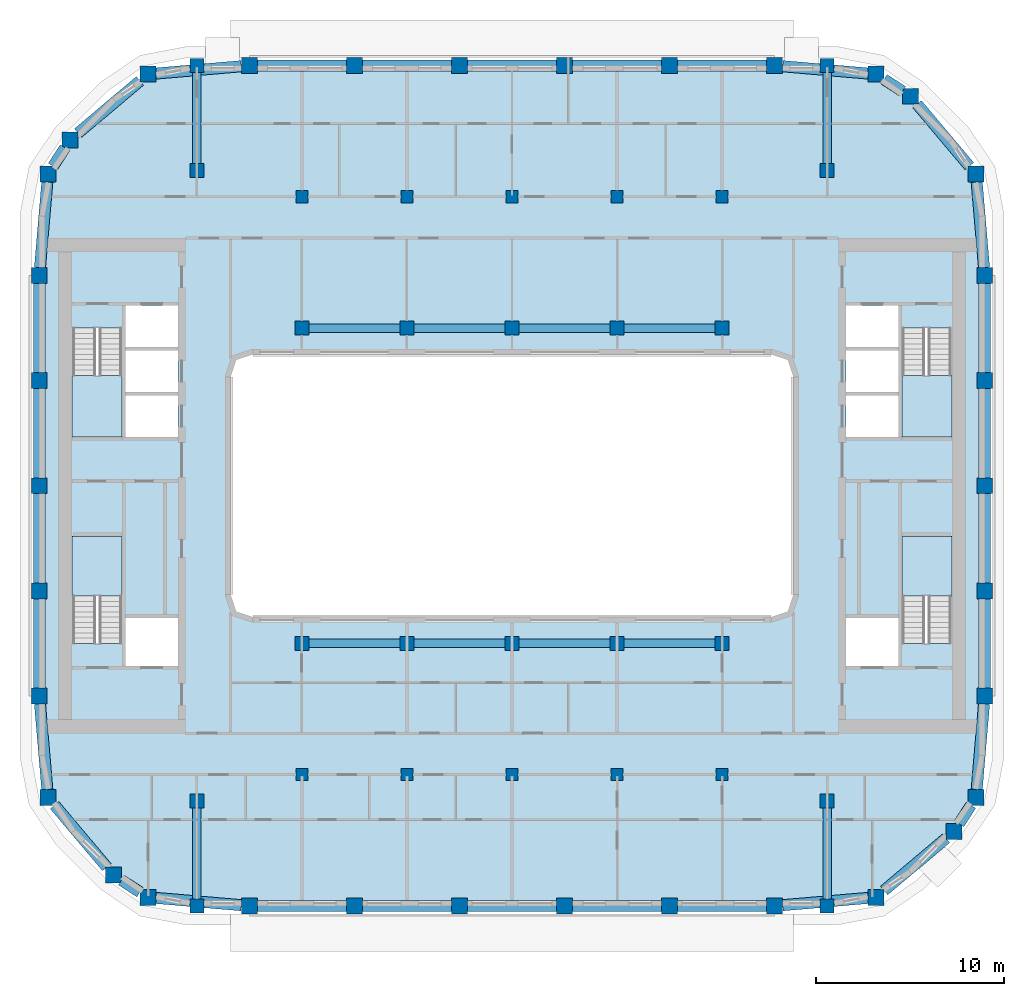
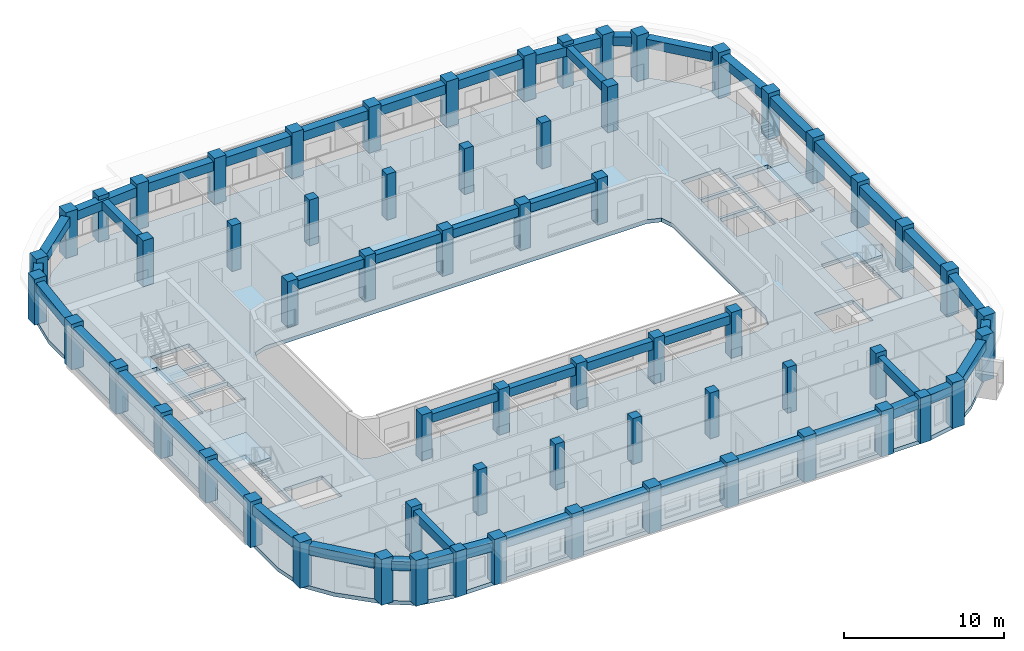
# One storey, part 1 of 21: 62 columns, 46 beams, 5 slabs, 4 elements without a shape of their own.
"""IFC4 building model written with IfcOpenShell, lengths in metres."""

from ifc_helpers import new_model, si_unit, direction, frame, origin, origin_2d, place, context, subcontext, project, spatial, polyline, rectangle, outline, extrude, material, layer, layer_set, material_profile, profile_set, type_object, element, aggregate, save


model = new_model("IFC4")

# Units and contexts
model_context = context("Model", 3, precision=1e-05, world=origin(), true_north=direction((0.0, 1.0)))
body_context = subcontext(model_context, "Body", "Model", "MODEL_VIEW")
ifc_project = project(units=[si_unit("LENGTHUNIT", "METRE"), si_unit("AREAUNIT", "SQUARE_METRE"), si_unit("VOLUMEUNIT", "CUBIC_METRE"), si_unit("PLANEANGLEUNIT", "RADIAN"), si_unit("MASSUNIT", "GRAM", prefix="KILO")], contexts=[model_context])

# Site, building, storey
site_placement = place(None, origin())
site = spatial("IfcSite", under=ifc_project, at=site_placement, CompositionType="ELEMENT")
building_placement = place(site_placement, origin())
building = spatial("IfcBuilding", under=site, at=building_placement, Name="Kiln Ring Residences", CompositionType="ELEMENT")
storey_placement = place(building_placement, frame((0.0, 0.0, 223.89990234375)))
storey = spatial("IfcBuildingStorey", under=building, at=storey_placement, Name="L58", CompositionType="ELEMENT", Elevation=223.89990234375)

# Columns
ifc_material_1 = material(Name="Concrete C70/85", Category="concrete")
ifc_material_profile_1 = material_profile(ifc_material_1, rectangle(XDim=0.64990234375, YDim=0.64990234375, at=origin_2d()), Name="RC650x650")
ifc_profile_set_1 = profile_set([ifc_material_profile_1], Name="Concrete C70/85")
column_type_1 = type_object("IfcColumnType", Name="Corridor column RC650x650 C70/85", PredefinedType="COLUMN", material=ifc_profile_set_1)
for number, where, z_axis, x_axis, name in (
    (1, (-11.199951171875, 15.39990234375, 0.0), (0.0, 0.0, 1.0), (1.0, 0.0, 0.0), "Corridor column L58 1"),
    (2, (-5.60009765625, 15.39990234375, 0.0), (0.0, 0.0, 1.0), (1.0, 0.0, 0.0), "Corridor column L58 2"),
    (3, (0.0, 15.39990234375, 0.0), (0.0, 0.0, 1.0), (1.0, 0.0, 0.0), "Corridor column L58 3"),
    (4, (5.60009765625, 15.39990234375, 0.0), (0.0, 0.0, 1.0), (1.0, 0.0, 0.0), "Corridor column L58 4"),
    (5, (11.199951171875, 15.39990234375, 0.0), (0.0, 0.0, 1.0), (1.0, 0.0, 0.0), "Corridor column L58 5"),
    (6, (-11.199951171875, -15.39990234375, 0.0), (0.0, 0.0, 1.0), (1.0, 0.0, 0.0), "Corridor column L58 6"),
    (7, (-5.60009765625, -15.39990234375, 0.0), (0.0, 0.0, 1.0), (1.0, 0.0, 0.0), "Corridor column L58 7"),
    (8, (0.0, -15.39990234375, 0.0), (0.0, 0.0, 1.0), (1.0, 0.0, 0.0), "Corridor column L58 8"),
    (9, (5.60009765625, -15.39990234375, 0.0), (0.0, 0.0, 1.0), (1.0, 0.0, 0.0), "Corridor column L58 9"),
    (10, (11.199951171875, -15.39990234375, 0.0), (0.0, 0.0, 1.0), (1.0, 0.0, 0.0), "Corridor column L58 10"),
):
    element("IfcColumn", number, at=place(storey_placement, frame(where, z_axis=z_axis, x_axis=x_axis)), inside=storey, type_object=column_type_1, Name=name, PredefinedType="COLUMN", context=body_context, shape_type="SweptSolid", body=[
        extrude(rectangle(XDim=0.64990234375, YDim=0.64990234375, at=origin_2d()), origin(), (0.0, 0.0, 1.0), 3.5),
    ])
ifc_material_2 = material(Name="Concrete C70/85", Category="concrete")
ifc_material_profile_2 = material_profile(ifc_material_2, rectangle(XDim=0.85009765625, YDim=0.85009765625, at=origin_2d()), Name="RC850x850")
ifc_profile_set_2 = profile_set([ifc_material_profile_2], Name="Concrete C70/85")
column_type_2 = type_object("IfcColumnType", Name="Perimeter column RC850x850 C70/85", PredefinedType="COLUMN", material=ifc_profile_set_2)
for number, where, z_axis, x_axis, name in (
    (11, (-19.40869140625, -21.93798828125, 0.0), (0.0, 0.0, 1.0), (1.0, 0.0, 0.0), "Perimeter column L58 1"),
    (12, (-14.0, -22.39990234375, 0.0), (0.0, 0.0, 1.0), (1.0, 0.0, 0.0), "Perimeter column L58 2"),
    (13, (-8.39990234375, -22.39990234375, 0.0), (0.0, 0.0, 1.0), (1.0, 0.0, 0.0), "Perimeter column L58 3"),
    (14, (-2.800048828125, -22.39990234375, 0.0), (0.0, 0.0, 1.0), (1.0, 0.0, 0.0), "Perimeter column L58 4"),
    (15, (2.800048828125, -22.39990234375, 0.0), (0.0, 0.0, 1.0), (1.0, 0.0, 0.0), "Perimeter column L58 5"),
    (16, (8.39990234375, -22.39990234375, 0.0), (0.0, 0.0, 1.0), (1.0, 0.0, 0.0), "Perimeter column L58 6"),
    (17, (14.0, -22.39990234375, 0.0), (0.0, 0.0, 1.0), (1.0, 0.0, 0.0), "Perimeter column L58 7"),
    (18, (19.40869140625, -21.93798828125, 0.0), (0.0, 0.0, 1.0), (1.0, 0.0, 0.0), "Perimeter column L58 8"),
    (19, (23.559814453125, -18.440185546875, 0.0), (0.0, 0.0, 1.0), (1.0, 0.0, 0.0), "Perimeter column L58 9"),
    (20, (24.738037109375, -16.608642578125, 0.0), (0.0, 0.0, 1.0), (1.0, 0.0, 0.0), "Perimeter column L58 10"),
    (21, (25.199951171875, -11.199951171875, 0.0), (0.0, 0.0, 1.0), (1.0, 0.0, 0.0), "Perimeter column L58 11"),
    (22, (25.199951171875, -5.60009765625, 0.0), (0.0, 0.0, 1.0), (1.0, 0.0, 0.0), "Perimeter column L58 12"),
    (23, (25.199951171875, 0.0, 0.0), (0.0, 0.0, 1.0), (1.0, 0.0, 0.0), "Perimeter column L58 13"),
    (24, (25.199951171875, 5.60009765625, 0.0), (0.0, 0.0, 1.0), (1.0, 0.0, 0.0), "Perimeter column L58 14"),
    (25, (25.199951171875, 11.199951171875, 0.0), (0.0, 0.0, 1.0), (1.0, 0.0, 0.0), "Perimeter column L58 15"),
    (26, (24.738037109375, 16.608642578125, 0.0), (0.0, 0.0, 1.0), (1.0, 0.0, 0.0), "Perimeter column L58 16"),
    (27, (21.240234375, 20.759765625, 0.0), (0.0, 0.0, 1.0), (1.0, 0.0, 0.0), "Perimeter column L58 17"),
    (28, (19.40869140625, 21.93798828125, 0.0), (0.0, 0.0, 1.0), (1.0, 0.0, 0.0), "Perimeter column L58 18"),
    (29, (14.0, 22.39990234375, 0.0), (0.0, 0.0, 1.0), (1.0, 0.0, 0.0), "Perimeter column L58 19"),
    (30, (8.39990234375, 22.39990234375, 0.0), (0.0, 0.0, 1.0), (1.0, 0.0, 0.0), "Perimeter column L58 20"),
    (31, (2.800048828125, 22.39990234375, 0.0), (0.0, 0.0, 1.0), (1.0, 0.0, 0.0), "Perimeter column L58 21"),
    (32, (-2.800048828125, 22.39990234375, 0.0), (0.0, 0.0, 1.0), (1.0, 0.0, 0.0), "Perimeter column L58 22"),
    (33, (-8.39990234375, 22.39990234375, 0.0), (0.0, 0.0, 1.0), (1.0, 0.0, 0.0), "Perimeter column L58 23"),
    (34, (-14.0, 22.39990234375, 0.0), (0.0, 0.0, 1.0), (1.0, 0.0, 0.0), "Perimeter column L58 24"),
    (35, (-19.40869140625, 21.93798828125, 0.0), (0.0, 0.0, 1.0), (1.0, 0.0, 0.0), "Perimeter column L58 25"),
    (36, (-23.559814453125, 18.440185546875, 0.0), (0.0, 0.0, 1.0), (1.0, 0.0, 0.0), "Perimeter column L58 26"),
    (37, (-24.738037109375, 16.608642578125, 0.0), (0.0, 0.0, 1.0), (1.0, 0.0, 0.0), "Perimeter column L58 27"),
    (38, (-25.199951171875, 11.199951171875, 0.0), (0.0, 0.0, 1.0), (1.0, 0.0, 0.0), "Perimeter column L58 28"),
    (39, (-25.199951171875, 5.60009765625, 0.0), (0.0, 0.0, 1.0), (1.0, 0.0, 0.0), "Perimeter column L58 29"),
    (40, (-25.199951171875, 0.0, 0.0), (0.0, 0.0, 1.0), (1.0, 0.0, 0.0), "Perimeter column L58 30"),
    (41, (-25.199951171875, -5.60009765625, 0.0), (0.0, 0.0, 1.0), (1.0, 0.0, 0.0), "Perimeter column L58 31"),
    (42, (-25.199951171875, -11.199951171875, 0.0), (0.0, 0.0, 1.0), (1.0, 0.0, 0.0), "Perimeter column L58 32"),
    (43, (-24.738037109375, -16.608642578125, 0.0), (0.0, 0.0, 1.0), (1.0, 0.0, 0.0), "Perimeter column L58 33"),
    (44, (-21.240234375, -20.759765625, 0.0), (0.0, 0.0, 1.0), (1.0, 0.0, 0.0), "Perimeter column L58 34"),
):
    element("IfcColumn", number, at=place(storey_placement, frame(where, z_axis=z_axis, x_axis=x_axis)), inside=storey, type_object=column_type_2, Name=name, PredefinedType="COLUMN", context=body_context, shape_type="SweptSolid", body=[
        extrude(rectangle(XDim=0.85009765625, YDim=0.85009765625, at=origin_2d()), origin(), (0.0, 0.0, 1.0), 3.5),
    ])
ifc_material_3 = material(Name="Concrete C70/85", Category="concrete")
ifc_material_profile_3 = material_profile(ifc_material_3, rectangle(XDim=0.75, YDim=0.75, at=origin_2d()), Name="RC750x750")
ifc_profile_set_3 = profile_set([ifc_material_profile_3], Name="Concrete C70/85")
column_type_3 = type_object("IfcColumnType", Name="Ring column RC750x750 C70/85", PredefinedType="COLUMN", material=ifc_profile_set_3)
for number, where, z_axis, x_axis, name in (
    (45, (-16.800048828125, -22.39990234375, 0.0), (0.0, 0.0, 1.0), (1.0, 0.0, 0.0), "Ring column L58 1"),
    (46, (-16.800048828125, -16.800048828125, 0.0), (0.0, 0.0, 1.0), (1.0, 0.0, 0.0), "Ring column L58 2"),
    (47, (-16.800048828125, 16.800048828125, 0.0), (0.0, 0.0, 1.0), (1.0, 0.0, 0.0), "Ring column L58 3"),
    (48, (-16.800048828125, 22.39990234375, 0.0), (0.0, 0.0, 1.0), (1.0, 0.0, 0.0), "Ring column L58 4"),
    (49, (-11.199951171875, -8.39990234375, 0.0), (0.0, 0.0, 1.0), (1.0, 0.0, 0.0), "Ring column L58 5"),
    (50, (-11.199951171875, 8.39990234375, 0.0), (0.0, 0.0, 1.0), (1.0, 0.0, 0.0), "Ring column L58 6"),
    (51, (-5.60009765625, -8.39990234375, 0.0), (0.0, 0.0, 1.0), (1.0, 0.0, 0.0), "Ring column L58 7"),
    (52, (-5.60009765625, 8.39990234375, 0.0), (0.0, 0.0, 1.0), (1.0, 0.0, 0.0), "Ring column L58 8"),
    (53, (0.0, -8.39990234375, 0.0), (0.0, 0.0, 1.0), (1.0, 0.0, 0.0), "Ring column L58 9"),
    (54, (0.0, 8.39990234375, 0.0), (0.0, 0.0, 1.0), (1.0, 0.0, 0.0), "Ring column L58 10"),
    (55, (5.60009765625, -8.39990234375, 0.0), (0.0, 0.0, 1.0), (1.0, 0.0, 0.0), "Ring column L58 11"),
    (56, (5.60009765625, 8.39990234375, 0.0), (0.0, 0.0, 1.0), (1.0, 0.0, 0.0), "Ring column L58 12"),
    (57, (11.199951171875, -8.39990234375, 0.0), (0.0, 0.0, 1.0), (1.0, 0.0, 0.0), "Ring column L58 13"),
    (58, (11.199951171875, 8.39990234375, 0.0), (0.0, 0.0, 1.0), (1.0, 0.0, 0.0), "Ring column L58 14"),
    (59, (16.800048828125, -22.39990234375, 0.0), (0.0, 0.0, 1.0), (1.0, 0.0, 0.0), "Ring column L58 15"),
    (60, (16.800048828125, -16.800048828125, 0.0), (0.0, 0.0, 1.0), (1.0, 0.0, 0.0), "Ring column L58 16"),
    (61, (16.800048828125, 16.800048828125, 0.0), (0.0, 0.0, 1.0), (1.0, 0.0, 0.0), "Ring column L58 17"),
    (62, (16.800048828125, 22.39990234375, 0.0), (0.0, 0.0, 1.0), (1.0, 0.0, 0.0), "Ring column L58 18"),
):
    element("IfcColumn", number, at=place(storey_placement, frame(where, z_axis=z_axis, x_axis=x_axis)), inside=storey, type_object=column_type_3, Name=name, PredefinedType="COLUMN", context=body_context, shape_type="SweptSolid", body=[
        extrude(rectangle(XDim=0.75, YDim=0.75, at=origin_2d()), origin(), (0.0, 0.0, 1.0), 3.5),
    ])

# Beams
ifc_material_4 = material(Name="Concrete C50/60", Category="concrete")
ifc_material_profile_4 = material_profile(ifc_material_4, rectangle(XDim=0.449951171875, YDim=0.64990234375, at=origin_2d()), Name="RC450x650")
ifc_profile_set_4 = profile_set([ifc_material_profile_4], Name="Concrete C50/60")
beam_type_1 = type_object("IfcBeamType", Name="Ring beam RC450x650 C50/60", PredefinedType="BEAM", material=ifc_profile_set_4)
beam_1_placement = place(storey_placement, frame((-10.824951171875, -8.39990234375, 2.875), z_axis=(1.0, 0.0, 0.0), x_axis=(0.0, 1.0, 0.0)))
element("IfcBeam", 63, at=beam_1_placement, inside=storey, type_object=beam_type_1, Name="Ring beam L58 1", PredefinedType="BEAM", context=body_context, shape_type="SweptSolid", body=[
    extrude(rectangle(XDim=0.449951171875, YDim=0.64990234375, at=origin_2d()), origin(), (0.0, 0.0, 1.0), 4.849853515625),
])
for number, where, z_axis, x_axis, name in (
    (64, (-5.22509765625, -8.39990234375, 2.875), (1.0, 0.0, 0.0), (0.0, 1.0, 0.0), "Ring beam L58 2"),
    (65, (0.375, -8.39990234375, 2.875), (1.0, 0.0, 0.0), (0.0, 1.0, 0.0), "Ring beam L58 3"),
):
    element("IfcBeam", number, at=place(storey_placement, frame(where, z_axis=z_axis, x_axis=x_axis)), inside=storey, type_object=beam_type_1, Name=name, PredefinedType="BEAM", context=body_context, shape_type="SweptSolid", body=[
        extrude(rectangle(XDim=0.449951171875, YDim=0.64990234375, at=origin_2d()), origin(), (0.0, 0.0, 1.0), 4.85009765625),
    ])
for number, where, z_axis, x_axis, name in (
    (66, (5.97509765625, -8.39990234375, 2.875), (1.0, 0.0, 0.0), (0.0, 1.0, 0.0), "Ring beam L58 4"),
    (67, (-10.824951171875, 8.39990234375, 2.875), (1.0, 0.0, 0.0), (0.0, 1.0, 0.0), "Ring beam L58 5"),
):
    element("IfcBeam", number, at=place(storey_placement, frame(where, z_axis=z_axis, x_axis=x_axis)), inside=storey, type_object=beam_type_1, Name=name, PredefinedType="BEAM", context=body_context, shape_type="SweptSolid", body=[
        extrude(rectangle(XDim=0.449951171875, YDim=0.64990234375, at=origin_2d()), origin(), (0.0, 0.0, 1.0), 4.849853515625),
    ])
for number, where, z_axis, x_axis, name in (
    (68, (-5.22509765625, 8.39990234375, 2.875), (1.0, 0.0, 0.0), (0.0, 1.0, 0.0), "Ring beam L58 6"),
    (69, (0.375, 8.39990234375, 2.875), (1.0, 0.0, 0.0), (0.0, 1.0, 0.0), "Ring beam L58 7"),
):
    element("IfcBeam", number, at=place(storey_placement, frame(where, z_axis=z_axis, x_axis=x_axis)), inside=storey, type_object=beam_type_1, Name=name, PredefinedType="BEAM", context=body_context, shape_type="SweptSolid", body=[
        extrude(rectangle(XDim=0.449951171875, YDim=0.64990234375, at=origin_2d()), origin(), (0.0, 0.0, 1.0), 4.85009765625),
    ])
for number, where, z_axis, x_axis, name in (
    (70, (5.97509765625, 8.39990234375, 2.875), (1.0, 0.0, 0.0), (0.0, 1.0, 0.0), "Ring beam L58 8"),
    (71, (-16.800048828125, -17.175048828125, 2.875), (0.0, -1.0, 0.0), (1.0, 0.0, 0.0), "Ring beam L58 9"),
    (72, (-16.800048828125, 17.175048828125, 2.875), (0.0, 1.0, 0.0), (-1.0, 0.0, 0.0), "Ring beam L58 10"),
    (73, (16.800048828125, -17.175048828125, 2.875), (0.0, -1.0, 0.0), (1.0, 0.0, 0.0), "Ring beam L58 11"),
    (74, (16.800048828125, 17.175048828125, 2.875), (0.0, 1.0, 0.0), (-1.0, 0.0, 0.0), "Ring beam L58 12"),
):
    element("IfcBeam", number, at=place(storey_placement, frame(where, z_axis=z_axis, x_axis=x_axis)), inside=storey, type_object=beam_type_1, Name=name, PredefinedType="BEAM", context=body_context, shape_type="SweptSolid", body=[
        extrude(rectangle(XDim=0.449951171875, YDim=0.64990234375, at=origin_2d()), origin(), (0.0, 0.0, 1.0), 4.849853515625),
    ])
ifc_material_5 = material(Name="Concrete C50/60", Category="concrete")
ifc_material_profile_5 = material_profile(ifc_material_5, rectangle(XDim=0.60009765625, YDim=0.699951171875, at=origin_2d()), Name="RC600x700")
ifc_profile_set_5 = profile_set([ifc_material_profile_5], Name="Concrete C50/60")
beam_type_2 = type_object("IfcBeamType", Name="Spandrel beam RC600x700 C50/60", PredefinedType="SPANDREL", material=ifc_profile_set_5)
beam_2_placement = place(storey_placement, frame((-18.983642578125, -21.974365234375, 2.85009765625), z_axis=(0.996371385312, -0.085112058675, 0.0), x_axis=(0.085112058675, 0.996371385312, 0.0)))
element("IfcBeam", 75, at=beam_2_placement, inside=storey, type_object=beam_type_2, Name="Spandrel beam L58 1", PredefinedType="SPANDREL", context=body_context, shape_type="SweptSolid", body=[
    extrude(rectangle(XDim=0.60009765625, YDim=0.699951171875, at=origin_2d()), origin(), (0.0, 0.0, 1.0), 4.5751953125),
])
for number, where, z_axis, x_axis, name in (
    (76, (-13.574951171875, -22.39990234375, 2.85009765625), (1.0, 0.0, 0.0), (0.0, 1.0, 0.0), "Spandrel beam L58 2"),
    (77, (-7.97509765625, -22.39990234375, 2.85009765625), (1.0, 0.0, 0.0), (0.0, 1.0, 0.0), "Spandrel beam L58 3"),
    (78, (-2.375, -22.39990234375, 2.85009765625), (1.0, 0.0, 0.0), (0.0, 1.0, 0.0), "Spandrel beam L58 4"),
    (79, (3.22509765625, -22.39990234375, 2.85009765625), (1.0, 0.0, 0.0), (0.0, 1.0, 0.0), "Spandrel beam L58 5"),
    (80, (8.824951171875, -22.39990234375, 2.85009765625), (1.0, 0.0, 0.0), (0.0, 1.0, 0.0), "Spandrel beam L58 6"),
):
    element("IfcBeam", number, at=place(storey_placement, frame(where, z_axis=z_axis, x_axis=x_axis)), inside=storey, type_object=beam_type_2, Name=name, PredefinedType="SPANDREL", context=body_context, shape_type="SweptSolid", body=[
        extrude(rectangle(XDim=0.60009765625, YDim=0.699951171875, at=origin_2d()), origin(), (0.0, 0.0, 1.0), 4.75),
    ])
beam_3_placement = place(storey_placement, frame((14.425048828125, -22.36376953125, 2.85009765625), z_axis=(0.996371385312, 0.085112058675, 0.0), x_axis=(-0.085112058675, 0.996371385312, 0.0)))
element("IfcBeam", 81, at=beam_3_placement, inside=storey, type_object=beam_type_2, Name="Spandrel beam L58 7", PredefinedType="SPANDREL", context=body_context, shape_type="SweptSolid", body=[
    extrude(rectangle(XDim=0.60009765625, YDim=0.699951171875, at=origin_2d()), origin(), (0.0, 0.0, 1.0), 4.5751953125),
])
beam_4_placement = place(storey_placement, frame((19.833740234375, -21.580078125, 2.85009765625), z_axis=(0.764691163306, 0.64439694658, 0.0), x_axis=(-0.64439694658, 0.764691163306, 0.0)))
element("IfcBeam", 82, at=beam_4_placement, inside=storey, type_object=beam_type_2, Name="Spandrel beam L58 8", PredefinedType="SPANDREL", context=body_context, shape_type="SweptSolid", body=[
    extrude(rectangle(XDim=0.60009765625, YDim=0.699951171875, at=origin_2d()), origin(), (0.0, 0.0, 1.0), 4.31689453125),
])
beam_5_placement = place(storey_placement, frame((23.833251953125, -18.01513671875, 2.85009765625), z_axis=(0.541011334995, 0.84101530034, 0.0), x_axis=(-0.84101530034, 0.541011334995, 0.0)))
element("IfcBeam", 83, at=beam_5_placement, inside=storey, type_object=beam_type_2, Name="Spandrel beam L58 9", PredefinedType="SPANDREL", context=body_context, shape_type="SweptSolid", body=[
    extrude(rectangle(XDim=0.60009765625, YDim=0.699951171875, at=origin_2d()), origin(), (0.0, 0.0, 1.0), 1.1669921875),
])
beam_6_placement = place(storey_placement, frame((24.7744140625, -16.18359375, 2.85009765625), z_axis=(0.085112058675, 0.996371385312, 0.0), x_axis=(-0.996371385312, 0.085112058675, 0.0)))
element("IfcBeam", 84, at=beam_6_placement, inside=storey, type_object=beam_type_2, Name="Spandrel beam L58 10", PredefinedType="SPANDREL", context=body_context, shape_type="SweptSolid", body=[
    extrude(rectangle(XDim=0.60009765625, YDim=0.699951171875, at=origin_2d()), origin(), (0.0, 0.0, 1.0), 4.5751953125),
])
for number, where, z_axis, x_axis, name in (
    (85, (25.199951171875, -10.77490234375, 2.85009765625), (0.0, 1.0, 0.0), (-1.0, 0.0, 0.0), "Spandrel beam L58 11"),
    (86, (25.199951171875, -5.175048828125, 2.85009765625), (0.0, 1.0, 0.0), (-1.0, 0.0, 0.0), "Spandrel beam L58 12"),
    (87, (25.199951171875, 0.425048828125, 2.85009765625), (0.0, 1.0, 0.0), (-1.0, 0.0, 0.0), "Spandrel beam L58 13"),
    (88, (25.199951171875, 6.02490234375, 2.85009765625), (0.0, 1.0, 0.0), (-1.0, 0.0, 0.0), "Spandrel beam L58 14"),
):
    element("IfcBeam", number, at=place(storey_placement, frame(where, z_axis=z_axis, x_axis=x_axis)), inside=storey, type_object=beam_type_2, Name=name, PredefinedType="SPANDREL", context=body_context, shape_type="SweptSolid", body=[
        extrude(rectangle(XDim=0.60009765625, YDim=0.699951171875, at=origin_2d()), origin(), (0.0, 0.0, 1.0), 4.75),
    ])
beam_7_placement = place(storey_placement, frame((25.163818359375, 11.625, 2.85009765625), z_axis=(-0.085112058675, 0.996371385312, 0.0), x_axis=(-0.996371385312, -0.085112058675, 0.0)))
element("IfcBeam", 89, at=beam_7_placement, inside=storey, type_object=beam_type_2, Name="Spandrel beam L58 15", PredefinedType="SPANDREL", context=body_context, shape_type="SweptSolid", body=[
    extrude(rectangle(XDim=0.60009765625, YDim=0.699951171875, at=origin_2d()), origin(), (0.0, 0.0, 1.0), 4.5751953125),
])
beam_8_placement = place(storey_placement, frame((24.3798828125, 17.03369140625, 2.85009765625), z_axis=(-0.644363873614, 0.764719032313, 0.0), x_axis=(-0.764719032313, -0.644363873614, 0.0)))
element("IfcBeam", 90, at=beam_8_placement, inside=storey, type_object=beam_type_2, Name="Spandrel beam L58 16", PredefinedType="SPANDREL", context=body_context, shape_type="SweptSolid", body=[
    extrude(rectangle(XDim=0.60009765625, YDim=0.699951171875, at=origin_2d()), origin(), (0.0, 0.0, 1.0), 4.316650390625),
])
beam_9_placement = place(storey_placement, frame((20.815185546875, 21.033203125, 2.85009765625), z_axis=(-0.840920108806, 0.54115928395, 0.0), x_axis=(-0.54115928395, -0.840920108806, 0.0)))
element("IfcBeam", 91, at=beam_9_placement, inside=storey, type_object=beam_type_2, Name="Spandrel beam L58 17", PredefinedType="SPANDREL", context=body_context, shape_type="SweptSolid", body=[
    extrude(rectangle(XDim=0.60009765625, YDim=0.699951171875, at=origin_2d()), origin(), (0.0, 0.0, 1.0), 1.1669921875),
])
beam_10_placement = place(storey_placement, frame((18.983642578125, 21.974365234375, 2.85009765625), z_axis=(-0.996371385312, 0.085112058675, 0.0), x_axis=(-0.085112058675, -0.996371385312, 0.0)))
element("IfcBeam", 92, at=beam_10_placement, inside=storey, type_object=beam_type_2, Name="Spandrel beam L58 18", PredefinedType="SPANDREL", context=body_context, shape_type="SweptSolid", body=[
    extrude(rectangle(XDim=0.60009765625, YDim=0.699951171875, at=origin_2d()), origin(), (0.0, 0.0, 1.0), 4.5751953125),
])
for number, where, z_axis, x_axis, name in (
    (93, (13.574951171875, 22.39990234375, 2.85009765625), (-1.0, 0.0, 0.0), (0.0, -1.0, 0.0), "Spandrel beam L58 19"),
    (94, (7.97509765625, 22.39990234375, 2.85009765625), (-1.0, 0.0, 0.0), (0.0, -1.0, 0.0), "Spandrel beam L58 20"),
    (95, (2.375, 22.39990234375, 2.85009765625), (-1.0, 0.0, 0.0), (0.0, -1.0, 0.0), "Spandrel beam L58 21"),
    (96, (-3.22509765625, 22.39990234375, 2.85009765625), (-1.0, 0.0, 0.0), (0.0, -1.0, 0.0), "Spandrel beam L58 22"),
    (97, (-8.824951171875, 22.39990234375, 2.85009765625), (-1.0, 0.0, 0.0), (0.0, -1.0, 0.0), "Spandrel beam L58 23"),
):
    element("IfcBeam", number, at=place(storey_placement, frame(where, z_axis=z_axis, x_axis=x_axis)), inside=storey, type_object=beam_type_2, Name=name, PredefinedType="SPANDREL", context=body_context, shape_type="SweptSolid", body=[
        extrude(rectangle(XDim=0.60009765625, YDim=0.699951171875, at=origin_2d()), origin(), (0.0, 0.0, 1.0), 4.75),
    ])
beam_11_placement = place(storey_placement, frame((-14.425048828125, 22.36376953125, 2.85009765625), z_axis=(-0.996371385312, -0.085112058675, 0.0), x_axis=(0.085112058675, -0.996371385312, 0.0)))
element("IfcBeam", 98, at=beam_11_placement, inside=storey, type_object=beam_type_2, Name="Spandrel beam L58 24", PredefinedType="SPANDREL", context=body_context, shape_type="SweptSolid", body=[
    extrude(rectangle(XDim=0.60009765625, YDim=0.699951171875, at=origin_2d()), origin(), (0.0, 0.0, 1.0), 4.5751953125),
])
beam_12_placement = place(storey_placement, frame((-19.833740234375, 21.580078125, 2.85009765625), z_axis=(-0.764691163306, -0.64439694658, 0.0), x_axis=(0.64439694658, -0.764691163306, 0.0)))
element("IfcBeam", 99, at=beam_12_placement, inside=storey, type_object=beam_type_2, Name="Spandrel beam L58 25", PredefinedType="SPANDREL", context=body_context, shape_type="SweptSolid", body=[
    extrude(rectangle(XDim=0.60009765625, YDim=0.699951171875, at=origin_2d()), origin(), (0.0, 0.0, 1.0), 4.31689453125),
])
beam_13_placement = place(storey_placement, frame((-23.833251953125, 18.01513671875, 2.85009765625), z_axis=(-0.541011334995, -0.84101530034, 0.0), x_axis=(0.84101530034, -0.541011334995, 0.0)))
element("IfcBeam", 100, at=beam_13_placement, inside=storey, type_object=beam_type_2, Name="Spandrel beam L58 26", PredefinedType="SPANDREL", context=body_context, shape_type="SweptSolid", body=[
    extrude(rectangle(XDim=0.60009765625, YDim=0.699951171875, at=origin_2d()), origin(), (0.0, 0.0, 1.0), 1.1669921875),
])
beam_14_placement = place(storey_placement, frame((-24.7744140625, 16.18359375, 2.85009765625), z_axis=(-0.085112058675, -0.996371385312, 0.0), x_axis=(0.996371385312, -0.085112058675, 0.0)))
element("IfcBeam", 101, at=beam_14_placement, inside=storey, type_object=beam_type_2, Name="Spandrel beam L58 27", PredefinedType="SPANDREL", context=body_context, shape_type="SweptSolid", body=[
    extrude(rectangle(XDim=0.60009765625, YDim=0.699951171875, at=origin_2d()), origin(), (0.0, 0.0, 1.0), 4.5751953125),
])
for number, where, z_axis, x_axis, name in (
    (102, (-25.199951171875, 10.77490234375, 2.85009765625), (0.0, -1.0, 0.0), (1.0, 0.0, 0.0), "Spandrel beam L58 28"),
    (103, (-25.199951171875, 5.175048828125, 2.85009765625), (0.0, -1.0, 0.0), (1.0, 0.0, 0.0), "Spandrel beam L58 29"),
    (104, (-25.199951171875, -0.425048828125, 2.85009765625), (0.0, -1.0, 0.0), (1.0, 0.0, 0.0), "Spandrel beam L58 30"),
    (105, (-25.199951171875, -6.02490234375, 2.85009765625), (0.0, -1.0, 0.0), (1.0, 0.0, 0.0), "Spandrel beam L58 31"),
):
    element("IfcBeam", number, at=place(storey_placement, frame(where, z_axis=z_axis, x_axis=x_axis)), inside=storey, type_object=beam_type_2, Name=name, PredefinedType="SPANDREL", context=body_context, shape_type="SweptSolid", body=[
        extrude(rectangle(XDim=0.60009765625, YDim=0.699951171875, at=origin_2d()), origin(), (0.0, 0.0, 1.0), 4.75),
    ])
beam_15_placement = place(storey_placement, frame((-25.163818359375, -11.625, 2.85009765625), z_axis=(0.085112058675, -0.996371385312, 0.0), x_axis=(0.996371385312, 0.085112058675, 0.0)))
element("IfcBeam", 106, at=beam_15_placement, inside=storey, type_object=beam_type_2, Name="Spandrel beam L58 32", PredefinedType="SPANDREL", context=body_context, shape_type="SweptSolid", body=[
    extrude(rectangle(XDim=0.60009765625, YDim=0.699951171875, at=origin_2d()), origin(), (0.0, 0.0, 1.0), 4.5751953125),
])
beam_16_placement = place(storey_placement, frame((-24.3798828125, -17.03369140625, 2.85009765625), z_axis=(0.644363873614, -0.764719032313, 0.0), x_axis=(0.764719032313, 0.644363873614, 0.0)))
element("IfcBeam", 107, at=beam_16_placement, inside=storey, type_object=beam_type_2, Name="Spandrel beam L58 33", PredefinedType="SPANDREL", context=body_context, shape_type="SweptSolid", body=[
    extrude(rectangle(XDim=0.60009765625, YDim=0.699951171875, at=origin_2d()), origin(), (0.0, 0.0, 1.0), 4.316650390625),
])
beam_17_placement = place(storey_placement, frame((-20.815185546875, -21.033203125, 2.85009765625), z_axis=(0.840920108806, -0.54115928395, 0.0), x_axis=(0.54115928395, 0.840920108806, 0.0)))
element("IfcBeam", 108, at=beam_17_placement, inside=storey, type_object=beam_type_2, Name="Spandrel beam L58 34", PredefinedType="SPANDREL", context=body_context, shape_type="SweptSolid", body=[
    extrude(rectangle(XDim=0.60009765625, YDim=0.699951171875, at=origin_2d()), origin(), (0.0, 0.0, 1.0), 1.1669921875),
])

# Stair, slab
ifc_material_6 = material(Name="Concrete C40/50", Category="concrete")
stair_type = type_object("IfcStairType", Name="CORE-STAIR", PredefinedType="HALF_TURN_STAIR", material=ifc_material_6)
placement_1 = place(storey_placement, origin())
stair_1 = element("IfcStair", 109, at=placement_1, inside=storey, type_object=stair_type, Name="L58 stair W-STN", PredefinedType="HALF_TURN_STAIR")
ifc_material_7 = material(Name="Concrete C40/50", Category="concrete")
ifc_layer_1 = layer(ifc_material_7, 0.199951171875)
ifc_layer_set_1 = layer_set([ifc_layer_1], Name="CORE-STAIR-LANDING")
slab_type_1 = type_object("IfcSlabType", Name="CORE-STAIR-LANDING", PredefinedType="LANDING", material=ifc_layer_set_1)
placement_2 = place(storey_placement, frame((0.0, 0.0, 1.550048828125)))
slab_1 = element("IfcSlab", 110, at=placement_2, type_object=slab_type_1, Name="W-STN landing 1", PredefinedType="LANDING", context=body_context, shape_type="SweptSolid", body=[
    extrude(outline(polyline([(-23.449951171875, 5.8798828125), (-23.449951171875, 2.60009765625), (-20.800048828125, 2.60009765625), (-20.800048828125, 5.8798828125), (-23.449951171875, 5.8798828125)])), origin(), (0.0, 0.0, 1.0), 0.199951171875),
])
aggregate(stair_1, [slab_1])

stair_2 = element("IfcStair", 111, at=placement_1, inside=storey, type_object=stair_type, Name="L58 stair W-STS", PredefinedType="HALF_TURN_STAIR")
slab_2 = element("IfcSlab", 112, at=placement_2, type_object=slab_type_1, Name="W-STS landing 1", PredefinedType="LANDING", context=body_context, shape_type="SweptSolid", body=[
    extrude(outline(polyline([(-20.800048828125, -5.8798828125), (-20.800048828125, -2.699951171875), (-23.449951171875, -2.699951171875), (-23.449951171875, -5.8798828125), (-20.800048828125, -5.8798828125)])), origin(), (0.0, 0.0, 1.0), 0.199951171875),
])
aggregate(stair_2, [slab_2])

stair_3 = element("IfcStair", 113, at=placement_1, inside=storey, type_object=stair_type, Name="L58 stair E-STN", PredefinedType="HALF_TURN_STAIR")
slab_3 = element("IfcSlab", 114, at=placement_2, type_object=slab_type_1, Name="E-STN landing 1", PredefinedType="LANDING", context=body_context, shape_type="SweptSolid", body=[
    extrude(outline(polyline([(20.800048828125, 5.8798828125), (20.800048828125, 2.60009765625), (23.449951171875, 2.60009765625), (23.449951171875, 5.8798828125), (20.800048828125, 5.8798828125)])), origin(), (0.0, 0.0, 1.0), 0.199951171875),
])
aggregate(stair_3, [slab_3])

stair_4 = element("IfcStair", 115, at=placement_1, inside=storey, type_object=stair_type, Name="L58 stair E-STS", PredefinedType="HALF_TURN_STAIR")
slab_4 = element("IfcSlab", 116, at=placement_2, type_object=slab_type_1, Name="E-STS landing 1", PredefinedType="LANDING", context=body_context, shape_type="SweptSolid", body=[
    extrude(outline(polyline([(23.449951171875, -5.8798828125), (23.449951171875, -2.699951171875), (20.800048828125, -2.699951171875), (20.800048828125, -5.8798828125), (23.449951171875, -5.8798828125)])), origin(), (0.0, 0.0, 1.0), 0.199951171875),
])
aggregate(stair_4, [slab_4])

# Slab
ifc_material_8 = material(Name="Concrete C40/50", Category="concrete")
ifc_layer_2 = layer(ifc_material_8, 0.300048828125)
ifc_layer_set_2 = layer_set([ifc_layer_2], Name="Floor slab 300")
slab_type_2 = type_object("IfcSlabType", Name="Floor slab 300", PredefinedType="FLOOR", material=ifc_layer_set_2)
slab_5_placement = place(storey_placement, frame((0.0, 0.0, -0.2998046875)))
element("IfcSlab", 117, at=slab_5_placement, inside=storey, type_object=slab_type_2, Name="Floor slab L58 1", PredefinedType="FLOOR", context=body_context, shape_type="SweptSolid", body=[
    extrude(outline(polyline([(-23.5029296875, -18.4970703125), (-21.297119140625, -20.702880859375), (-19.42431640625, -21.975830078125), (-17.199951171875, -22.39990234375), (17.199951171875, -22.39990234375), (19.42431640625, -21.975830078125), (21.297119140625, -20.702880859375), (23.5029296875, -18.4970703125), (24.775634765625, -16.624267578125), (25.199951171875, -14.39990234375), (25.199951171875, 14.39990234375), (24.775634765625, 16.624267578125), (23.5029296875, 18.4970703125), (21.297119140625, 20.702880859375), (19.42431640625, 21.975830078125), (17.199951171875, 22.39990234375), (-17.199951171875, 22.39990234375), (-19.42431640625, 21.975830078125), (-21.297119140625, 20.702880859375), (-23.5029296875, 18.4970703125), (-24.775634765625, 16.624267578125), (-25.199951171875, 14.39990234375), (-25.199951171875, -14.39990234375), (-24.775634765625, -16.624267578125), (-23.5029296875, -18.4970703125)]), holes=[polyline([(-14.699951171875, -6.699951171875), (-15.0, -5.800048828125), (-15.0, 5.800048828125), (-14.699951171875, 6.699951171875), (-13.800048828125, 7.0), (13.800048828125, 7.0), (14.699951171875, 6.699951171875), (15.0, 5.800048828125), (15.0, -5.800048828125), (14.699951171875, -6.699951171875), (13.800048828125, -7.0), (-13.800048828125, -7.0), (-14.699951171875, -6.699951171875)]), polyline([(20.800048828125, -8.39794921875), (20.800048828125, -2.699951171875), (23.39990234375, -2.699951171875), (23.39990234375, -8.39794921875), (20.800048828125, -8.39794921875)]), polyline([(23.39990234375, 2.60009765625), (20.800048828125, 2.60009765625), (20.800048828125, 8.39794921875), (23.39990234375, 8.39794921875), (23.39990234375, 2.60009765625)]), polyline([(17.800048828125, 2.60009765625), (17.800048828125, 4.800048828125), (20.60009765625, 4.800048828125), (20.60009765625, 2.60009765625), (17.800048828125, 2.60009765625)]), polyline([(17.800048828125, 5.0), (17.800048828125, 7.199951171875), (20.60009765625, 7.199951171875), (20.60009765625, 5.0), (17.800048828125, 5.0)]), polyline([(17.800048828125, 7.39990234375), (17.800048828125, 9.60009765625), (20.60009765625, 9.60009765625), (20.60009765625, 7.39990234375), (17.800048828125, 7.39990234375)]), polyline([(20.60009765625, -9.60009765625), (17.800048828125, -9.60009765625), (17.800048828125, -7.050048828125), (20.60009765625, -7.050048828125), (20.60009765625, -9.60009765625)]), polyline([(-17.800048828125, -7.050048828125), (-17.800048828125, -9.60009765625), (-20.60009765625, -9.60009765625), (-20.60009765625, -7.050048828125), (-17.800048828125, -7.050048828125)]), polyline([(-17.800048828125, 2.60009765625), (-20.60009765625, 2.60009765625), (-20.60009765625, 4.800048828125), (-17.800048828125, 4.800048828125), (-17.800048828125, 2.60009765625)]), polyline([(-17.800048828125, 5.0), (-20.60009765625, 5.0), (-20.60009765625, 7.199951171875), (-17.800048828125, 7.199951171875), (-17.800048828125, 5.0)]), polyline([(-17.800048828125, 7.39990234375), (-20.60009765625, 7.39990234375), (-20.60009765625, 9.60009765625), (-17.800048828125, 9.60009765625), (-17.800048828125, 7.39990234375)]), polyline([(-20.800048828125, -8.39794921875), (-23.39990234375, -8.39794921875), (-23.39990234375, -2.699951171875), (-20.800048828125, -2.699951171875), (-20.800048828125, -8.39794921875)]), polyline([(-20.800048828125, 8.39794921875), (-20.800048828125, 2.60009765625), (-23.39990234375, 2.60009765625), (-23.39990234375, 8.39794921875), (-20.800048828125, 8.39794921875)])]), origin(), (0.0, 0.0, 1.0), 0.2998046875),
])

save(model, "model.ifc")
